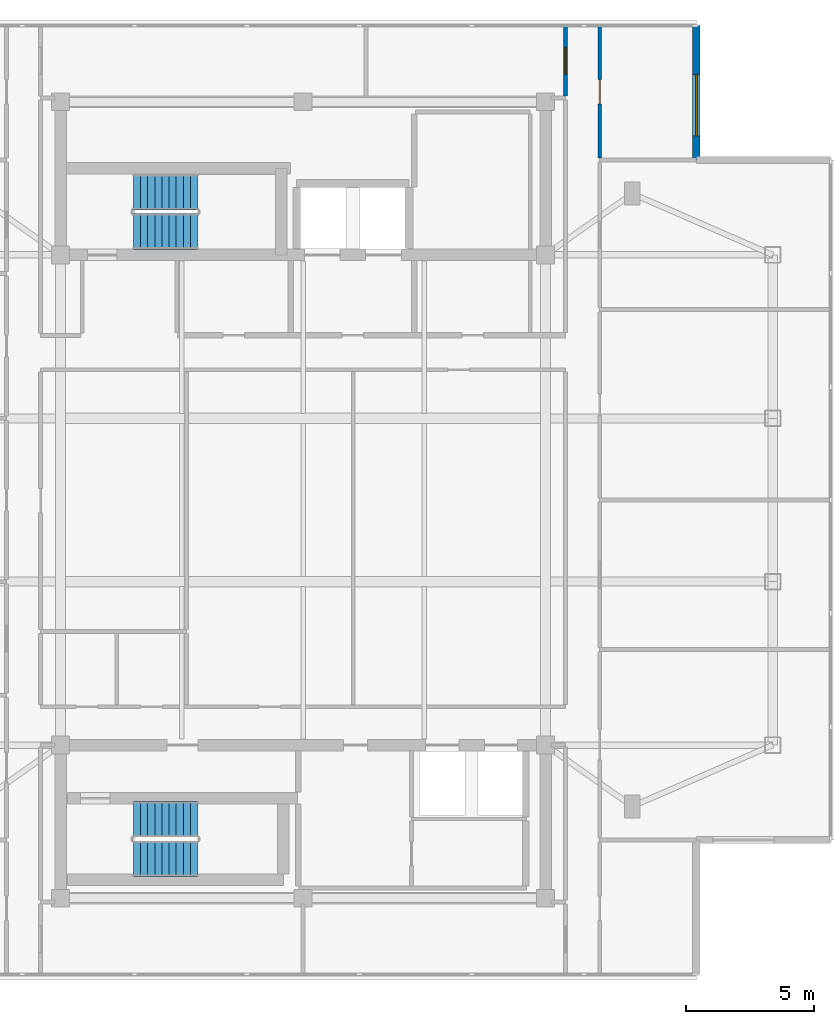
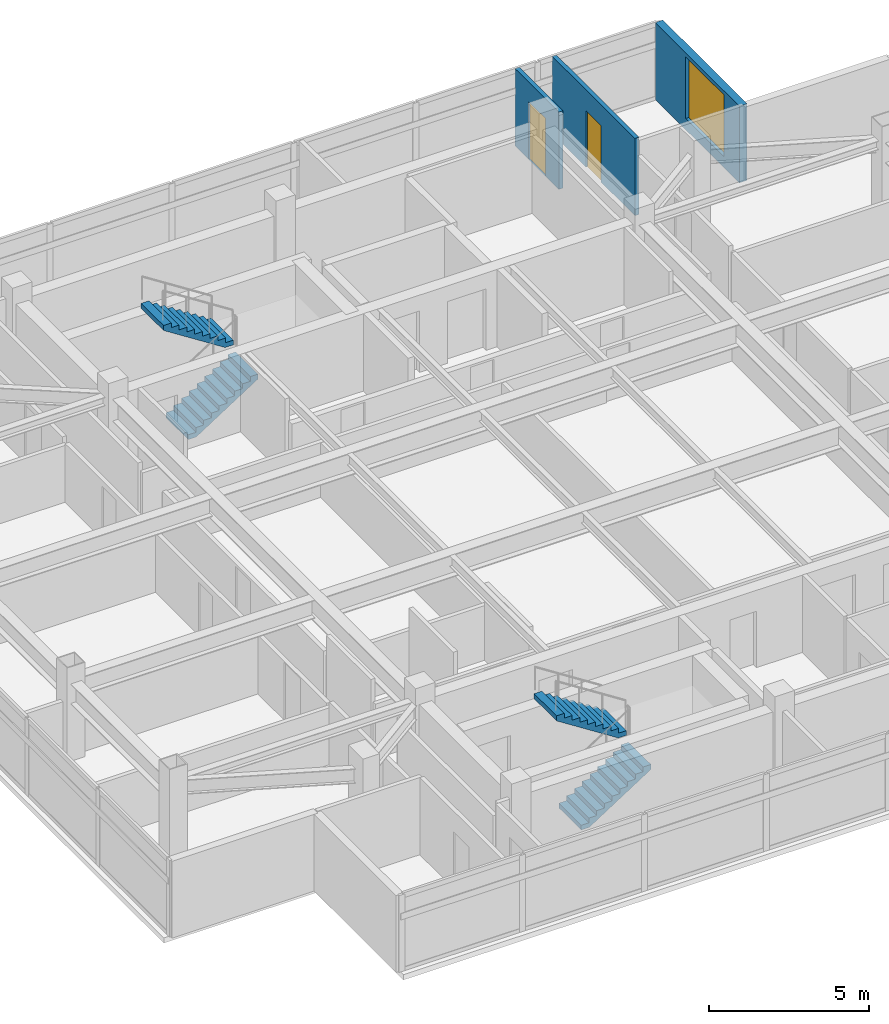
# One storey, part 8 of 11: 4 stair flights, 3 walls, 2 doors, 1 window, 3 openings, 2 elements without a shape of their own.
"""IFC4 building model written with IfcOpenShell, lengths in metres."""

from ifc_helpers import new_model, si_unit, direction, frame, frame_2d, origin, place, context, subcontext, project, spatial, polyline, rectangle, outline, extrude, material, layer, layer_set, type_object, element, fill, aggregate, save


model = new_model("IFC4")

# Units and contexts
model_context = context("Model", 3, precision=1e-05, world=origin(), true_north=direction((0.0, 1.0)))
body_context = subcontext(model_context, "Body", "Model", "MODEL_VIEW")
ifc_project = project(units=[si_unit("LENGTHUNIT", "METRE"), si_unit("AREAUNIT", "SQUARE_METRE"), si_unit("VOLUMEUNIT", "CUBIC_METRE"), si_unit("PLANEANGLEUNIT", "RADIAN"), si_unit("MASSUNIT", "GRAM", prefix="KILO")], contexts=[model_context])

# Site, building, storey
site_placement = place(None, origin())
site = spatial("IfcSite", under=ifc_project, at=site_placement, CompositionType="ELEMENT")
building_placement = place(site_placement, origin())
building = spatial("IfcBuilding", under=site, at=building_placement, Name="Mirazonda Arch Towers", CompositionType="ELEMENT")
storey_placement = place(building_placement, frame((0.0, 0.0, 259.89990234375)))
storey = spatial("IfcBuildingStorey", under=building, at=storey_placement, Name="L74", CompositionType="ELEMENT", Elevation=259.89990234375)

# Wall, opening, window
ifc_material_1 = material(Name="Precast Concrete C40/50", Category="concrete")
ifc_layer_1 = layer(ifc_material_1, 0.280029296875, Name="WALL-EXT-WALL-280")
ifc_layer_set_1 = layer_set([ifc_layer_1], Name="Precast Concrete C40/50")
wall_type_1 = type_object("IfcWallType", Name="WALL-EXT-WALL-280", PredefinedType="SOLIDWALL", material=ifc_layer_set_1)
wall_1_placement = place(storey_placement, frame((35.905029296875, 41.319091796875, 0.0), z_axis=(0.0, 0.0, 1.0), x_axis=(0.0, 1.0, 0.0)))
wall_1 = element("IfcWall", 1, at=wall_1_placement, inside=storey, type_object=wall_type_1, Name="L74 T1 Notched NE Corner Wall WL-L74-T1-CNE", PredefinedType="SOLIDWALL", context=body_context, shape_type="SweptSolid", body=[
    extrude(rectangle(XDim=5.264892578125, YDim=0.280029296875, at=frame_2d((2.63232421875, 0.0))), origin(), (0.0, 0.0, 1.0), 2.93017578125),
])
opening_1_placement = place(wall_1_placement, frame((0.949951171875, 0.0, 0.429931640625)))
opening_1 = element("IfcOpeningElement", 2, at=opening_1_placement, cuts=wall_1, Name="Opening WN-121", PredefinedType="OPENING", context=body_context, shape_type="SweptSolid", body=[
    extrude(rectangle(XDim=2.39990234375, YDim=2.35009765625, at=frame_2d((1.199951171875, 1.175048828125))), frame((0.0, 0.14990234375, 0.0), z_axis=(0.0, -1.0, 0.0), x_axis=(1.0, 0.0, 0.0)), (0.0, 0.0, 1.0), 0.300048828125),
])
ifc_material_2 = material(Name="Insulated Low-E Solar Glass", Category="glass")
window_type = type_object("IfcWindowType", Name="WIN-PENT-2400x2350", PartitioningType="SINGLE_PANEL", PredefinedType="WINDOW", material=ifc_material_2)
window_placement = place(opening_1_placement, origin())
window = element("IfcWindow", 3, at=window_placement, inside=storey, type_object=window_type, Name="L74 Punched Facade Window WN-L74-T1-CNE", OverallHeight=2.35009765625, OverallWidth=2.39990234375, PartitioningType="SINGLE_PANEL", PredefinedType="WINDOW", context=body_context, shape_type="SweptSolid", body=[
    extrude(rectangle(XDim=2.39990234375, YDim=2.35009765625, at=frame_2d((1.199951171875, 1.175048828125))), frame((0.0, 0.030029296875, 0.0), z_axis=(0.0, -1.0, 0.0), x_axis=(1.0, 0.0, 0.0)), (0.0, 0.0, 1.0), 0.06005859375),
])
fill(opening_1, window)

# Wall, opening, door
ifc_material_3 = material(Name="Fire-Rated Gypsum Stud Partition")
ifc_layer_2 = layer(ifc_material_3, 0.14990234375, Name="WALL-PART-CORR-150")
ifc_layer_set_2 = layer_set([ifc_layer_2], Name="Fire-Rated Gypsum Stud Partition")
wall_type_2 = type_object("IfcWallType", Name="WALL-PART-CORR-150", PredefinedType="PARTITIONING", material=ifc_layer_set_2)
wall_2_placement = place(storey_placement, frame((30.780029296875, 43.8349609375, 0.0), z_axis=(0.0, 0.0, 1.0), x_axis=(0.0, 1.0, 0.0)))
wall_2 = element("IfcWall", 4, at=wall_2_placement, inside=storey, type_object=wall_type_2, Name="L74 Interior Partition 068", PredefinedType="PARTITIONING", context=body_context, shape_type="SweptSolid", body=[
    extrude(rectangle(XDim=2.7490234375, YDim=0.14990234375, at=frame_2d((1.37451171875, 0.0))), origin(), (0.0, 0.0, 1.0), 2.9501953125),
])
opening_2_placement = place(wall_2_placement, frame((0.849609375, 0.0, 0.0)))
opening_2 = element("IfcOpeningElement", 5, at=opening_2_placement, cuts=wall_2, Name="Opening DR-121", PredefinedType="OPENING", context=body_context, shape_type="SweptSolid", body=[
    extrude(rectangle(XDim=1.050048828125, YDim=2.199951171875, at=frame_2d((0.52490234375, 1.10009765625))), frame((0.0, 0.0849609375, 0.0), z_axis=(0.0, -1.0, 0.0), x_axis=(1.0, 0.0, 0.0)), (0.0, 0.0, 1.0), 0.169921875),
])
ifc_material_4 = material(Name="Architectural Brushed Steel S355", Category="steel")
door_type_1 = type_object("IfcDoorType", Name="DOOR-SUITE-FD60-1050", OperationType="NOTDEFINED", PredefinedType="DOOR", material=ifc_material_4)
door_1_placement = place(opening_2_placement, origin())
door_1 = element("IfcDoor", 6, at=door_1_placement, inside=storey, type_object=door_type_1, Name="L74 North Skyline Gallery East Door", OperationType="SINGLE_SWING_LEFT", OverallHeight=2.199951171875, OverallWidth=1.050048828125, PredefinedType="DOOR", context=body_context, shape_type="SweptSolid", body=[
    extrude(rectangle(XDim=1.050048828125, YDim=2.199951171875, at=frame_2d((0.52490234375, 1.10009765625))), frame((0.0, 0.02490234375, 0.0), z_axis=(0.0, -1.0, 0.0), x_axis=(1.0, 0.0, 0.0)), (0.0, 0.0, 1.0), 0.050048828125),
])
fill(opening_2, door_1)

wall_3_placement = place(storey_placement, frame((32.1201171875, 41.404052734375, 0.0), z_axis=(0.0, 0.0, 1.0), x_axis=(0.0, 1.0, 0.0)))
wall_3 = element("IfcWall", 7, at=wall_3_placement, inside=storey, type_object=wall_type_2, Name="L74 Interior Partition 074", PredefinedType="PARTITIONING", context=body_context, shape_type="SweptSolid", body=[
    extrude(rectangle(XDim=5.179931640625, YDim=0.14990234375, at=frame_2d((2.58984375, 0.0))), origin(), (0.0, 0.0, 1.0), 2.9501953125),
])
opening_3_placement = place(wall_3_placement, frame((2.114990234375, 0.0, 0.0)))
opening_3 = element("IfcOpeningElement", 8, at=opening_3_placement, cuts=wall_3, Name="Opening DR-104", PredefinedType="OPENING", context=body_context, shape_type="SweptSolid", body=[
    extrude(rectangle(XDim=0.949951171875, YDim=2.14990234375, at=frame_2d((0.47509765625, 1.074951171875))), frame((0.0, 0.0849609375, 0.0), z_axis=(0.0, -1.0, 0.0), x_axis=(1.0, 0.0, 0.0)), (0.0, 0.0, 1.0), 0.169921875),
])
door_type_2 = type_object("IfcDoorType", Name="DOOR-ROOM-950", OperationType="NOTDEFINED", PredefinedType="DOOR", material=ifc_material_4)
door_2_placement = place(opening_3_placement, origin())
door_2 = element("IfcDoor", 9, at=door_2_placement, inside=storey, type_object=door_type_2, Name="L74 North Skyline Gallery Alcove East Door", OperationType="SINGLE_SWING_LEFT", OverallHeight=2.14990234375, OverallWidth=0.949951171875, PredefinedType="DOOR", context=body_context, shape_type="SweptSolid", body=[
    extrude(rectangle(XDim=0.949951171875, YDim=2.14990234375, at=frame_2d((0.47509765625, 1.074951171875))), frame((0.0, 0.02490234375, 0.0), z_axis=(0.0, -1.0, 0.0), x_axis=(1.0, 0.0, 0.0)), (0.0, 0.0, 1.0), 0.050048828125),
])
fill(opening_3, door_2)

# Stair, stair flights
ifc_material_5 = material(Name="Concrete C40/50", Category="concrete")
stair_type = type_object("IfcStairType", Name="STAIR-CORE-1400", PredefinedType="HALF_TURN_STAIR", material=ifc_material_5)
stair_1_placement = place(storey_placement, origin())
stair_1 = element("IfcStair", 10, at=stair_1_placement, inside=storey, type_object=stair_type, Name="L74 Protected Exit Stair ST-T1N", PredefinedType="HALF_TURN_STAIR")
stair_flight_type = type_object("IfcStairFlightType", Name="FLIGHT-1400", PredefinedType="STRAIGHT", material=ifc_material_5)
stair_flight_1_placement = place(storey_placement, frame((13.85009765625, 38.52001953125, 0.0), z_axis=(0.0, 0.0, 1.0), x_axis=(1.0, 0.0, 0.0)))
stair_flight_1 = element("IfcStairFlight", 11, at=stair_flight_1_placement, type_object=stair_flight_type, Name="ST-T1N flight 1", NumberOfRisers=10, NumberOfTreads=9, PredefinedType="STRAIGHT", RiserHeight=0.18, TreadLength=0.28, context=body_context, shape_type="SweptSolid", body=[
    extrude(outline(polyline([(0.0, 0.0), (0.0, 0.179931640625), (0.280029296875, 0.179931640625), (0.280029296875, 0.360107421875), (0.56005859375, 0.360107421875), (0.56005859375, 0.5400390625), (0.840087890625, 0.5400390625), (0.840087890625, 0.719970703125), (1.1201171875, 0.719970703125), (1.1201171875, 0.89990234375), (1.39990234375, 0.89990234375), (1.39990234375, 1.080078125), (1.679931640625, 1.080078125), (1.679931640625, 1.260009765625), (1.9599609375, 1.260009765625), (1.9599609375, 1.43994140625), (2.239990234375, 1.43994140625), (2.239990234375, 1.6201171875), (2.52001953125, 1.6201171875), (2.52001953125, 1.800048828125), (2.52001953125, 1.429931640625), (0.295654296875, 0.0), (0.0, 0.0)])), frame((0.0, 0.699951171875, 0.0), z_axis=(0.0, -1.0, 0.0), x_axis=(1.0, 0.0, 0.0)), (0.0, 0.0, 1.0), 1.39990234375),
])
stair_flight_2_placement = place(storey_placement, frame((16.3701171875, 40.06005859375, 1.800048828125), z_axis=(0.0, 0.0, 1.0), x_axis=(-1.0, 0.0, 0.0)))
stair_flight_2 = element("IfcStairFlight", 12, at=stair_flight_2_placement, type_object=stair_flight_type, Name="ST-T1N flight 2", NumberOfRisers=10, NumberOfTreads=9, PredefinedType="STRAIGHT", RiserHeight=0.18, TreadLength=0.28, context=body_context, shape_type="SweptSolid", body=[
    extrude(outline(polyline([(0.0, 0.0), (0.0, 0.179931640625), (0.280029296875, 0.179931640625), (0.280029296875, 0.360107421875), (0.56005859375, 0.360107421875), (0.56005859375, 0.5400390625), (0.840087890625, 0.5400390625), (0.840087890625, 0.719970703125), (1.1201171875, 0.719970703125), (1.1201171875, 0.89990234375), (1.39990234375, 0.89990234375), (1.39990234375, 1.080078125), (1.679931640625, 1.080078125), (1.679931640625, 1.260009765625), (1.9599609375, 1.260009765625), (1.9599609375, 1.43994140625), (2.239990234375, 1.43994140625), (2.239990234375, 1.6201171875), (2.52001953125, 1.6201171875), (2.52001953125, 1.800048828125), (2.52001953125, 1.429931640625), (0.295654296875, 0.0), (0.0, 0.0)])), frame((0.0, 0.699951171875, 0.0), z_axis=(0.0, -1.0, 0.0), x_axis=(1.0, 0.0, 0.0)), (0.0, 0.0, 1.0), 1.39990234375),
])
aggregate(stair_1, [stair_flight_1, stair_flight_2])

stair_2_placement = place(storey_placement, origin())
stair_2 = element("IfcStair", 13, at=stair_2_placement, inside=storey, type_object=stair_type, Name="L74 Protected Exit Stair ST-T1S", PredefinedType="HALF_TURN_STAIR")
stair_flight_3_placement = place(storey_placement, frame((13.85009765625, 13.949951171875, 0.0), z_axis=(0.0, 0.0, 1.0), x_axis=(1.0, 0.0, 0.0)))
stair_flight_3 = element("IfcStairFlight", 14, at=stair_flight_3_placement, type_object=stair_flight_type, Name="ST-T1S flight 1", NumberOfRisers=10, NumberOfTreads=9, PredefinedType="STRAIGHT", RiserHeight=0.18, TreadLength=0.28, context=body_context, shape_type="SweptSolid", body=[
    extrude(outline(polyline([(0.0, 0.0), (0.0, 0.179931640625), (0.280029296875, 0.179931640625), (0.280029296875, 0.360107421875), (0.56005859375, 0.360107421875), (0.56005859375, 0.5400390625), (0.840087890625, 0.5400390625), (0.840087890625, 0.719970703125), (1.1201171875, 0.719970703125), (1.1201171875, 0.89990234375), (1.39990234375, 0.89990234375), (1.39990234375, 1.080078125), (1.679931640625, 1.080078125), (1.679931640625, 1.260009765625), (1.9599609375, 1.260009765625), (1.9599609375, 1.43994140625), (2.239990234375, 1.43994140625), (2.239990234375, 1.6201171875), (2.52001953125, 1.6201171875), (2.52001953125, 1.800048828125), (2.52001953125, 1.429931640625), (0.295654296875, 0.0), (0.0, 0.0)])), frame((0.0, 0.699951171875, 0.0), z_axis=(0.0, -1.0, 0.0), x_axis=(1.0, 0.0, 0.0)), (0.0, 0.0, 1.0), 1.39990234375),
])
stair_flight_4_placement = place(storey_placement, frame((16.3701171875, 15.489990234375, 1.800048828125), z_axis=(0.0, 0.0, 1.0), x_axis=(-1.0, 0.0, 0.0)))
stair_flight_4 = element("IfcStairFlight", 15, at=stair_flight_4_placement, type_object=stair_flight_type, Name="ST-T1S flight 2", NumberOfRisers=10, NumberOfTreads=9, PredefinedType="STRAIGHT", RiserHeight=0.18, TreadLength=0.28, context=body_context, shape_type="SweptSolid", body=[
    extrude(outline(polyline([(0.0, 0.0), (0.0, 0.179931640625), (0.280029296875, 0.179931640625), (0.280029296875, 0.360107421875), (0.56005859375, 0.360107421875), (0.56005859375, 0.5400390625), (0.840087890625, 0.5400390625), (0.840087890625, 0.719970703125), (1.1201171875, 0.719970703125), (1.1201171875, 0.89990234375), (1.39990234375, 0.89990234375), (1.39990234375, 1.080078125), (1.679931640625, 1.080078125), (1.679931640625, 1.260009765625), (1.9599609375, 1.260009765625), (1.9599609375, 1.43994140625), (2.239990234375, 1.43994140625), (2.239990234375, 1.6201171875), (2.52001953125, 1.6201171875), (2.52001953125, 1.800048828125), (2.52001953125, 1.429931640625), (0.295654296875, 0.0), (0.0, 0.0)])), frame((0.0, 0.699951171875, 0.0), z_axis=(0.0, -1.0, 0.0), x_axis=(1.0, 0.0, 0.0)), (0.0, 0.0, 1.0), 1.39990234375),
])
aggregate(stair_2, [stair_flight_3, stair_flight_4])

save(model, "model.ifc")
